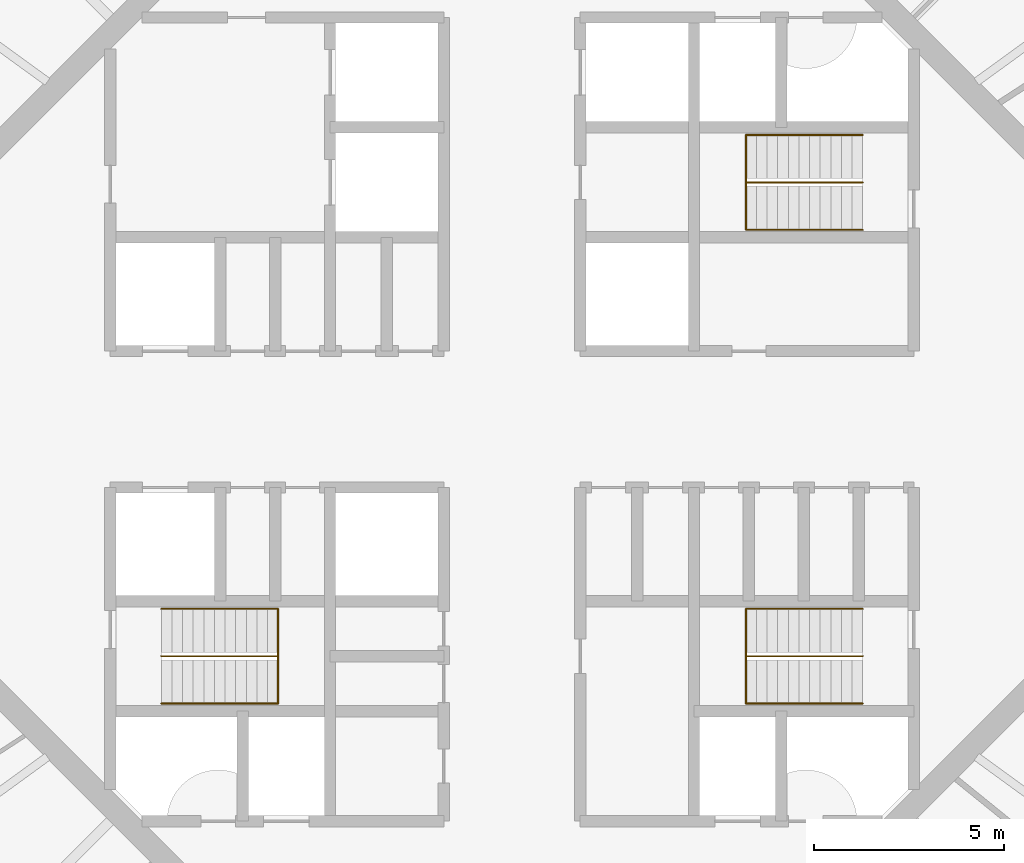
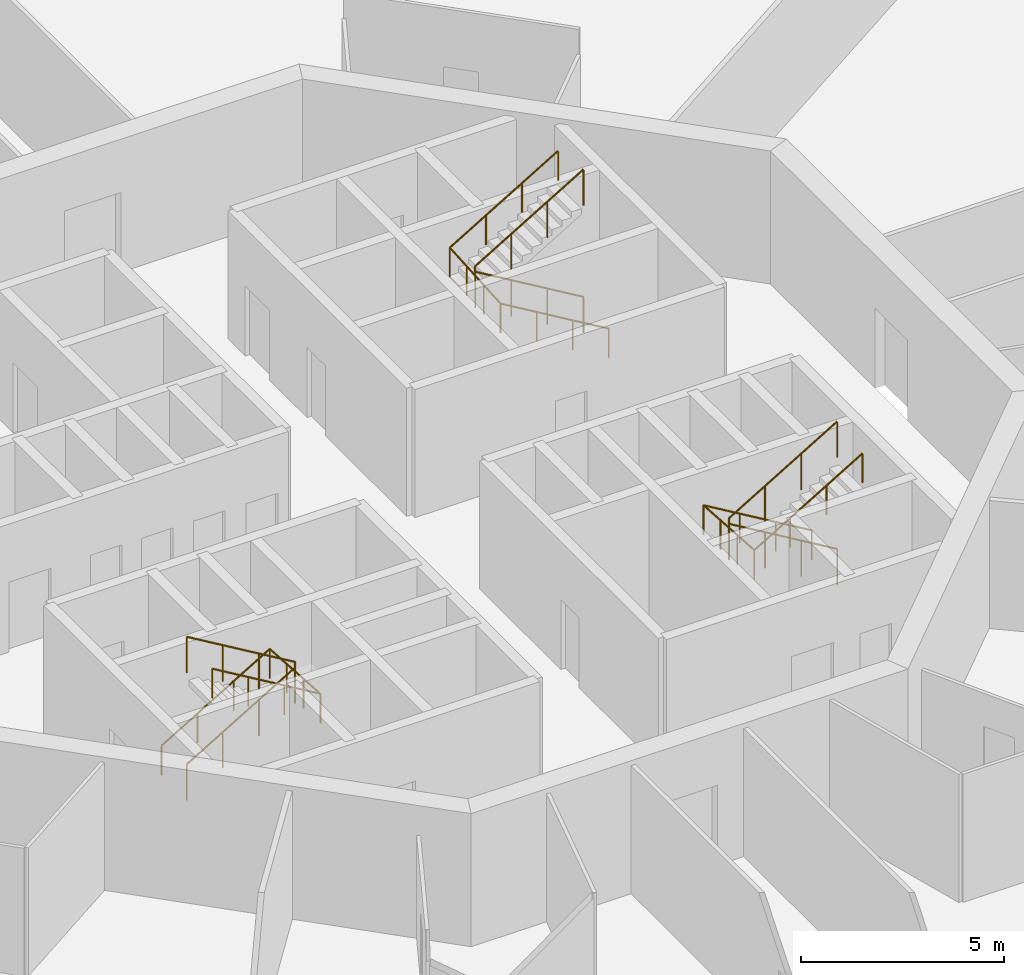
# One storey, part 13 of 13: 6 railings.
"""IFC4 building model written with IfcOpenShell, lengths in metres."""

from ifc_helpers import new_model, si_unit, direction, frame, origin, origin_2d, place, context, subcontext, project, spatial, circle, extrude, material, type_object, element, save


model = new_model("IFC4")

# Units and contexts
model_context = context("Model", 3, precision=1e-05, world=origin(), true_north=direction((0.0, 1.0)))
body_context = subcontext(model_context, "Body", "Model", "MODEL_VIEW")
ifc_project = project(units=[si_unit("LENGTHUNIT", "METRE"), si_unit("AREAUNIT", "SQUARE_METRE"), si_unit("VOLUMEUNIT", "CUBIC_METRE"), si_unit("PLANEANGLEUNIT", "RADIAN"), si_unit("MASSUNIT", "GRAM", prefix="KILO")], contexts=[model_context])

# Site, building, storey
site_placement = place(None, origin())
site = spatial("IfcSite", under=ifc_project, at=site_placement, CompositionType="ELEMENT")
building_placement = place(site_placement, origin())
building = spatial("IfcBuilding", under=site, at=building_placement, Name="Entoto Ring Tower", CompositionType="ELEMENT")
storey_placement = place(building_placement, frame((0.0, 0.0, 360.0)))
storey = spatial("IfcBuildingStorey", under=building, at=storey_placement, Name="L83", CompositionType="ELEMENT", Elevation=360.0)

# Railings
ifc_material_1 = material(Name="Steel S275", Category="steel")
railing_type_1 = type_object("IfcRailingType", Name="Stair guard 1100 mm steel", PredefinedType="GUARDRAIL", material=ifc_material_1)
railing_1_placement = place(storey_placement, frame((99.25, 86.25, 0.166748046875)))
element("IfcRailing", 1, at=railing_1_placement, inside=storey, type_object=railing_type_1, Name="Guard ST1", PredefinedType="GUARDRAIL", context=body_context, shape_type="SweptSolid", body=[
    extrude(circle(Radius=0.02392578125, at=origin_2d()), frame((0.0, 0.0, 1.076171875), z_axis=(-0.859308565015, 0.0, 0.511457515432), x_axis=(0.0, -1.0, 0.0)), (0.0, 0.0, 1.0), 3.58447265625),
    extrude(circle(Radius=0.02392578125, at=origin_2d()), frame((-3.080078125, 0.0, 2.9091796875), z_axis=(0.0, 0.0, 1.0), x_axis=(1.0, 0.0, 0.0)), (0.0, 0.0, 1.0), 0.166748046875),
    extrude(circle(Radius=0.02392578125, at=origin_2d()), frame((-3.080078125, 0.0, 3.076171875), z_axis=(0.859308565015, 0.0, 0.511457515432), x_axis=(0.0, 1.0, 0.0)), (0.0, 0.0, 1.0), 3.58447265625),
    extrude(circle(Radius=0.02099609375, at=origin_2d()), origin(), (0.0, 0.0, 1.0), 1.052001953125),
    extrude(circle(Radius=0.02099609375, at=origin_2d()), frame((-1.026611328125, 0.0, 0.611083984375)), (0.0, 0.0, 1.0), 1.052001953125),
    extrude(circle(Radius=0.02099609375, at=origin_2d()), frame((-2.053466796875, 0.0, 1.22216796875)), (0.0, 0.0, 1.0), 1.052001953125),
    extrude(circle(Radius=0.02099609375, at=origin_2d()), frame((-3.080078125, 0.0, 1.833251953125)), (0.0, 0.0, 1.0), 1.052001953125),
    extrude(circle(Radius=0.02099609375, at=origin_2d()), frame((-3.080078125, 0.0, 2.0)), (0.0, 0.0, 1.0), 1.052001953125),
    extrude(circle(Radius=0.02099609375, at=origin_2d()), frame((-2.053466796875, 0.0, 2.611083984375)), (0.0, 0.0, 1.0), 1.052001953125),
    extrude(circle(Radius=0.02099609375, at=origin_2d()), frame((-1.026611328125, 0.0, 3.22216796875)), (0.0, 0.0, 1.0), 1.052001953125),
    extrude(circle(Radius=0.02099609375, at=origin_2d()), frame((0.0, 0.0, 3.833251953125)), (0.0, 0.0, 1.0), 1.052001953125),
])
railing_2_placement = place(storey_placement, frame((80.75, 73.75, 0.166748046875)))
element("IfcRailing", 2, at=railing_2_placement, inside=storey, type_object=railing_type_1, Name="Guard ST2", PredefinedType="GUARDRAIL", context=body_context, shape_type="SweptSolid", body=[
    extrude(circle(Radius=0.02392578125, at=origin_2d()), frame((0.0, 0.0, 1.076171875), z_axis=(0.859308565015, 0.0, 0.511457515432), x_axis=(0.0, 1.0, 0.0)), (0.0, 0.0, 1.0), 3.58447265625),
    extrude(circle(Radius=0.02392578125, at=origin_2d()), frame((3.080078125, 0.0, 2.9091796875), z_axis=(0.0, 0.0, 1.0), x_axis=(1.0, 0.0, 0.0)), (0.0, 0.0, 1.0), 0.166748046875),
    extrude(circle(Radius=0.02392578125, at=origin_2d()), frame((3.080078125, 0.0, 3.076171875), z_axis=(-0.859308565015, 0.0, 0.511457515432), x_axis=(0.0, -1.0, 0.0)), (0.0, 0.0, 1.0), 3.58447265625),
    extrude(circle(Radius=0.02099609375, at=origin_2d()), origin(), (0.0, 0.0, 1.0), 1.052001953125),
    extrude(circle(Radius=0.02099609375, at=origin_2d()), frame((1.026611328125, 0.0, 0.611083984375)), (0.0, 0.0, 1.0), 1.052001953125),
    extrude(circle(Radius=0.02099609375, at=origin_2d()), frame((2.053466796875, 0.0, 1.22216796875)), (0.0, 0.0, 1.0), 1.052001953125),
    extrude(circle(Radius=0.02099609375, at=origin_2d()), frame((3.080078125, 0.0, 1.833251953125)), (0.0, 0.0, 1.0), 1.052001953125),
    extrude(circle(Radius=0.02099609375, at=origin_2d()), frame((3.080078125, 0.0, 2.0)), (0.0, 0.0, 1.0), 1.052001953125),
    extrude(circle(Radius=0.02099609375, at=origin_2d()), frame((2.053466796875, 0.0, 2.611083984375)), (0.0, 0.0, 1.0), 1.052001953125),
    extrude(circle(Radius=0.02099609375, at=origin_2d()), frame((1.026611328125, 0.0, 3.22216796875)), (0.0, 0.0, 1.0), 1.052001953125),
    extrude(circle(Radius=0.02099609375, at=origin_2d()), frame((0.0, 0.0, 3.833251953125)), (0.0, 0.0, 1.0), 1.052001953125),
])
railing_3_placement = place(storey_placement, frame((99.25, 73.75, 0.166748046875)))
element("IfcRailing", 3, at=railing_3_placement, inside=storey, type_object=railing_type_1, Name="Guard ST3", PredefinedType="GUARDRAIL", context=body_context, shape_type="SweptSolid", body=[
    extrude(circle(Radius=0.02392578125, at=origin_2d()), frame((0.0, 0.0, 1.076171875), z_axis=(-0.859308565015, 0.0, 0.511457515432), x_axis=(0.0, -1.0, 0.0)), (0.0, 0.0, 1.0), 3.58447265625),
    extrude(circle(Radius=0.02392578125, at=origin_2d()), frame((-3.080078125, 0.0, 2.9091796875), z_axis=(0.0, 0.0, 1.0), x_axis=(1.0, 0.0, 0.0)), (0.0, 0.0, 1.0), 0.166748046875),
    extrude(circle(Radius=0.02392578125, at=origin_2d()), frame((-3.080078125, 0.0, 3.076171875), z_axis=(0.859308565015, 0.0, 0.511457515432), x_axis=(0.0, 1.0, 0.0)), (0.0, 0.0, 1.0), 3.58447265625),
    extrude(circle(Radius=0.02099609375, at=origin_2d()), origin(), (0.0, 0.0, 1.0), 1.052001953125),
    extrude(circle(Radius=0.02099609375, at=origin_2d()), frame((-1.026611328125, 0.0, 0.611083984375)), (0.0, 0.0, 1.0), 1.052001953125),
    extrude(circle(Radius=0.02099609375, at=origin_2d()), frame((-2.053466796875, 0.0, 1.22216796875)), (0.0, 0.0, 1.0), 1.052001953125),
    extrude(circle(Radius=0.02099609375, at=origin_2d()), frame((-3.080078125, 0.0, 1.833251953125)), (0.0, 0.0, 1.0), 1.052001953125),
    extrude(circle(Radius=0.02099609375, at=origin_2d()), frame((-3.080078125, 0.0, 2.0)), (0.0, 0.0, 1.0), 1.052001953125),
    extrude(circle(Radius=0.02099609375, at=origin_2d()), frame((-2.053466796875, 0.0, 2.611083984375)), (0.0, 0.0, 1.0), 1.052001953125),
    extrude(circle(Radius=0.02099609375, at=origin_2d()), frame((-1.026611328125, 0.0, 3.22216796875)), (0.0, 0.0, 1.0), 1.052001953125),
    extrude(circle(Radius=0.02099609375, at=origin_2d()), frame((0.0, 0.0, 3.833251953125)), (0.0, 0.0, 1.0), 1.052001953125),
])
ifc_material_2 = material(Name="Steel S275", Category="steel")
railing_type_2 = type_object("IfcRailingType", Name="Stair handrail 900 mm steel", PredefinedType="HANDRAIL", material=ifc_material_2)
railing_4_placement = place(storey_placement, frame((99.25, 85.0, 0.166748046875)))
element("IfcRailing", 4, at=railing_4_placement, inside=storey, type_object=railing_type_2, Name="Handrail ST1", PredefinedType="HANDRAIL", context=body_context, shape_type="SweptSolid", body=[
    extrude(circle(Radius=0.02392578125, at=origin_2d()), frame((0.0, 0.0, 0.8759765625), z_axis=(-0.859308565015, 0.0, 0.511457515432), x_axis=(0.0, -1.0, 0.0)), (0.0, 0.0, 1.0), 3.58447265625),
    extrude(circle(Radius=0.02392578125, at=origin_2d()), frame((-3.080078125, 0.0, 2.708984375), z_axis=(0.0, 0.997783001586, 0.066551346688), x_axis=(-1.0, 0.0, 0.0)), (0.0, 0.0, 1.0), 2.505615234375),
    extrude(circle(Radius=0.02392578125, at=origin_2d()), frame((-3.080078125, 2.5, 2.8759765625), z_axis=(0.859308565015, 0.0, 0.511457515432), x_axis=(0.0, 1.0, 0.0)), (0.0, 0.0, 1.0), 3.58447265625),
    extrude(circle(Radius=0.02099609375, at=origin_2d()), origin(), (0.0, 0.0, 1.0), 0.851806640625),
    extrude(circle(Radius=0.02099609375, at=origin_2d()), frame((-1.026611328125, 0.0, 0.611083984375)), (0.0, 0.0, 1.0), 0.851806640625),
    extrude(circle(Radius=0.02099609375, at=origin_2d()), frame((-2.053466796875, 0.0, 1.22216796875)), (0.0, 0.0, 1.0), 0.851806640625),
    extrude(circle(Radius=0.02099609375, at=origin_2d()), frame((-3.080078125, 0.0, 1.833251953125)), (0.0, 0.0, 1.0), 0.851806640625),
    extrude(circle(Radius=0.02099609375, at=origin_2d()), frame((-3.080078125, 0.833251953125, 1.888916015625)), (0.0, 0.0, 1.0), 0.851806640625),
    extrude(circle(Radius=0.02099609375, at=origin_2d()), frame((-3.080078125, 1.666748046875, 1.9443359375)), (0.0, 0.0, 1.0), 0.851806640625),
    extrude(circle(Radius=0.02099609375, at=origin_2d()), frame((-3.080078125, 2.5, 2.0)), (0.0, 0.0, 1.0), 0.851806640625),
    extrude(circle(Radius=0.02099609375, at=origin_2d()), frame((-2.053466796875, 2.5, 2.611083984375)), (0.0, 0.0, 1.0), 0.851806640625),
    extrude(circle(Radius=0.02099609375, at=origin_2d()), frame((-1.026611328125, 2.5, 3.22216796875)), (0.0, 0.0, 1.0), 0.851806640625),
    extrude(circle(Radius=0.02099609375, at=origin_2d()), frame((0.0, 2.5, 3.833251953125)), (0.0, 0.0, 1.0), 0.851806640625),
])
railing_5_placement = place(storey_placement, frame((80.75, 75.0, 0.166748046875)))
element("IfcRailing", 5, at=railing_5_placement, inside=storey, type_object=railing_type_2, Name="Handrail ST2", PredefinedType="HANDRAIL", context=body_context, shape_type="SweptSolid", body=[
    extrude(circle(Radius=0.02392578125, at=origin_2d()), frame((0.0, 0.0, 0.8759765625), z_axis=(0.859308565015, 0.0, 0.511457515432), x_axis=(0.0, 1.0, 0.0)), (0.0, 0.0, 1.0), 3.58447265625),
    extrude(circle(Radius=0.02392578125, at=origin_2d()), frame((3.080078125, 0.0, 2.708984375), z_axis=(0.0, -0.997783001586, 0.066551346688), x_axis=(1.0, 0.0, 0.0)), (0.0, 0.0, 1.0), 2.505615234375),
    extrude(circle(Radius=0.02392578125, at=origin_2d()), frame((3.080078125, -2.5, 2.8759765625), z_axis=(-0.859308565015, 0.0, 0.511457515432), x_axis=(0.0, -1.0, 0.0)), (0.0, 0.0, 1.0), 3.58447265625),
    extrude(circle(Radius=0.02099609375, at=origin_2d()), origin(), (0.0, 0.0, 1.0), 0.851806640625),
    extrude(circle(Radius=0.02099609375, at=origin_2d()), frame((1.026611328125, 0.0, 0.611083984375)), (0.0, 0.0, 1.0), 0.851806640625),
    extrude(circle(Radius=0.02099609375, at=origin_2d()), frame((2.053466796875, 0.0, 1.22216796875)), (0.0, 0.0, 1.0), 0.851806640625),
    extrude(circle(Radius=0.02099609375, at=origin_2d()), frame((3.080078125, 0.0, 1.833251953125)), (0.0, 0.0, 1.0), 0.851806640625),
    extrude(circle(Radius=0.02099609375, at=origin_2d()), frame((3.080078125, -0.833251953125, 1.888916015625)), (0.0, 0.0, 1.0), 0.851806640625),
    extrude(circle(Radius=0.02099609375, at=origin_2d()), frame((3.080078125, -1.666748046875, 1.9443359375)), (0.0, 0.0, 1.0), 0.851806640625),
    extrude(circle(Radius=0.02099609375, at=origin_2d()), frame((3.080078125, -2.5, 2.0)), (0.0, 0.0, 1.0), 0.851806640625),
    extrude(circle(Radius=0.02099609375, at=origin_2d()), frame((2.053466796875, -2.5, 2.611083984375)), (0.0, 0.0, 1.0), 0.851806640625),
    extrude(circle(Radius=0.02099609375, at=origin_2d()), frame((1.026611328125, -2.5, 3.22216796875)), (0.0, 0.0, 1.0), 0.851806640625),
    extrude(circle(Radius=0.02099609375, at=origin_2d()), frame((0.0, -2.5, 3.833251953125)), (0.0, 0.0, 1.0), 0.851806640625),
])
railing_6_placement = place(storey_placement, frame((99.25, 75.0, 0.166748046875)))
element("IfcRailing", 6, at=railing_6_placement, inside=storey, type_object=railing_type_2, Name="Handrail ST3", PredefinedType="HANDRAIL", context=body_context, shape_type="SweptSolid", body=[
    extrude(circle(Radius=0.02392578125, at=origin_2d()), frame((0.0, 0.0, 0.8759765625), z_axis=(-0.859308565015, 0.0, 0.511457515432), x_axis=(0.0, -1.0, 0.0)), (0.0, 0.0, 1.0), 3.58447265625),
    extrude(circle(Radius=0.02392578125, at=origin_2d()), frame((-3.080078125, 0.0, 2.708984375), z_axis=(0.0, -0.997783001586, 0.066551346688), x_axis=(1.0, 0.0, 0.0)), (0.0, 0.0, 1.0), 2.505615234375),
    extrude(circle(Radius=0.02392578125, at=origin_2d()), frame((-3.080078125, -2.5, 2.8759765625), z_axis=(0.859308565015, 0.0, 0.511457515432), x_axis=(0.0, 1.0, 0.0)), (0.0, 0.0, 1.0), 3.58447265625),
    extrude(circle(Radius=0.02099609375, at=origin_2d()), origin(), (0.0, 0.0, 1.0), 0.851806640625),
    extrude(circle(Radius=0.02099609375, at=origin_2d()), frame((-1.026611328125, 0.0, 0.611083984375)), (0.0, 0.0, 1.0), 0.851806640625),
    extrude(circle(Radius=0.02099609375, at=origin_2d()), frame((-2.053466796875, 0.0, 1.22216796875)), (0.0, 0.0, 1.0), 0.851806640625),
    extrude(circle(Radius=0.02099609375, at=origin_2d()), frame((-3.080078125, 0.0, 1.833251953125)), (0.0, 0.0, 1.0), 0.851806640625),
    extrude(circle(Radius=0.02099609375, at=origin_2d()), frame((-3.080078125, -0.833251953125, 1.888916015625)), (0.0, 0.0, 1.0), 0.851806640625),
    extrude(circle(Radius=0.02099609375, at=origin_2d()), frame((-3.080078125, -1.666748046875, 1.9443359375)), (0.0, 0.0, 1.0), 0.851806640625),
    extrude(circle(Radius=0.02099609375, at=origin_2d()), frame((-3.080078125, -2.5, 2.0)), (0.0, 0.0, 1.0), 0.851806640625),
    extrude(circle(Radius=0.02099609375, at=origin_2d()), frame((-2.053466796875, -2.5, 2.611083984375)), (0.0, 0.0, 1.0), 0.851806640625),
    extrude(circle(Radius=0.02099609375, at=origin_2d()), frame((-1.026611328125, -2.5, 3.22216796875)), (0.0, 0.0, 1.0), 0.851806640625),
    extrude(circle(Radius=0.02099609375, at=origin_2d()), frame((0.0, -2.5, 3.833251953125)), (0.0, 0.0, 1.0), 0.851806640625),
])

save(model, "model.ifc")
